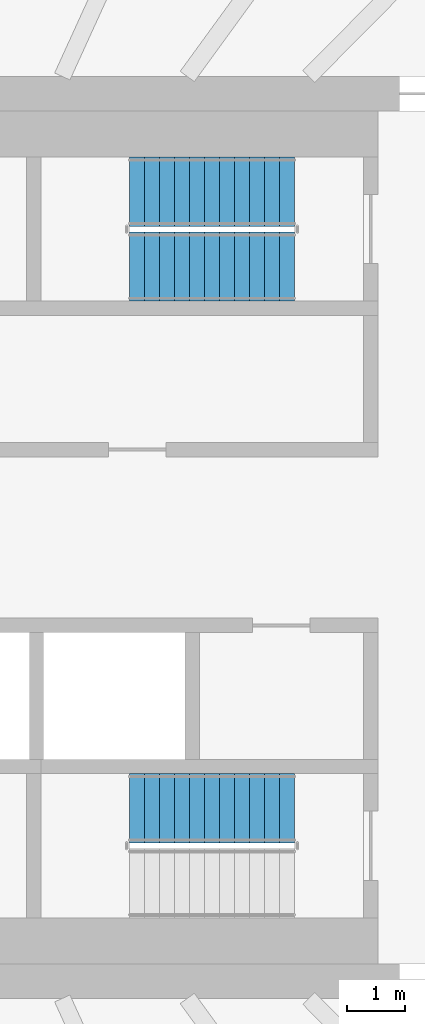
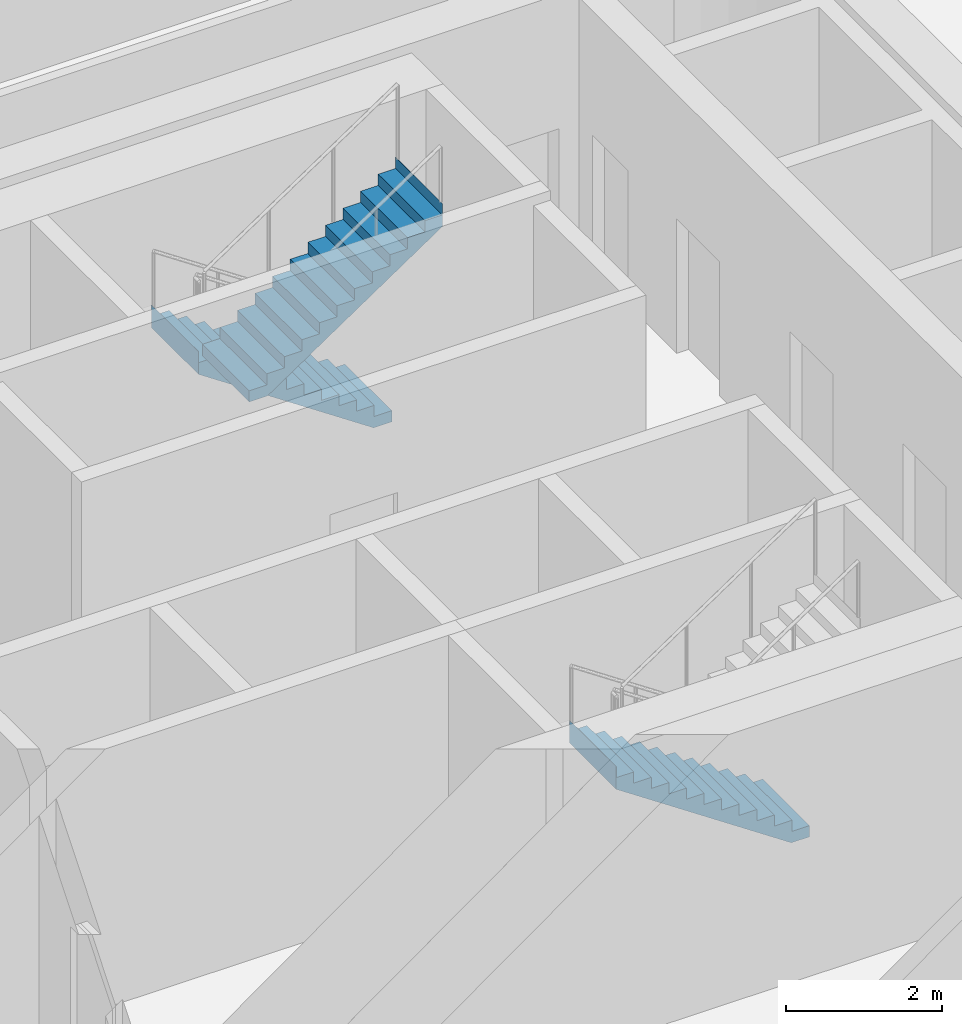
# One storey, part 19 of 25: 3 stair flights, 2 elements without a shape of their own.
"""IFC4 building model written with IfcOpenShell, lengths in metres."""

from ifc_helpers import new_model, si_unit, direction, frame, origin, place, context, subcontext, project, spatial, triangles, material, type_object, element, aggregate, save


model = new_model("IFC4")

# Units and contexts
model_context = context("Model", 3, precision=1e-05, world=origin(), true_north=direction((0.0, 1.0)))
body_context = subcontext(model_context, "Body", "Model", "MODEL_VIEW")
ifc_project = project(units=[si_unit("LENGTHUNIT", "METRE"), si_unit("AREAUNIT", "SQUARE_METRE"), si_unit("VOLUMEUNIT", "CUBIC_METRE"), si_unit("PLANEANGLEUNIT", "RADIAN"), si_unit("MASSUNIT", "GRAM", prefix="KILO")], contexts=[model_context])

# Site, building, storey
site_placement = place(None, origin())
site = spatial("IfcSite", under=ifc_project, at=site_placement, CompositionType="ELEMENT")
building_placement = place(site_placement, origin())
building = spatial("IfcBuilding", under=site, at=building_placement, Name="Sahrelin Media Tower", CompositionType="ELEMENT")
storey_placement = place(building_placement, frame((0.0, 0.0, 139.800048828125)))
storey = spatial("IfcBuildingStorey", under=building, at=storey_placement, Name="L28", CompositionType="ELEMENT", Elevation=139.800048828125)

# Stair, stair flights
ifc_material = material(Name="Concrete C40/50", Category="concrete")
stair_type = type_object("IfcStairType", Name="Exit stair 1200", PredefinedType="HALF_TURN_STAIR", material=ifc_material)
placement = place(storey_placement, origin())
stair_1 = element("IfcStair", 1, at=placement, inside=storey, type_object=stair_type, Name="L28 Exit stair ST3", PredefinedType="HALF_TURN_STAIR")
stair_flight_type = type_object("IfcStairFlightType", Name="Stair flight 1200", PredefinedType="STRAIGHT", material=ifc_material)
stair_flight_1_placement = place(storey_placement, frame((7.675048828125, 6.0, 0.0), z_axis=(0.0, 0.0, 1.0), x_axis=(-1.0, 0.0, 0.0)))
stair_flight_1 = element("IfcStairFlight", 2, at=stair_flight_1_placement, type_object=stair_flight_type, Name="ST3 flight 1", NumberOfRisers=12, NumberOfTreads=11, PredefinedType="STRAIGHT", RiserHeight=0.175, TreadLength=0.26, context=body_context, shape_type="Tessellation", body=[
    triangles([(0.2685546875, 0.60009765625, 0.0), (0.2685546875, 0.300048828125, 0.0), (0.2685546875, 0.0, 0.0), (0.2685546875, -0.300048828125, 0.0), (0.2685546875, -0.60009765625, 0.0), (2.860107421875, 0.60009765625, 1.744384765625), (2.860107421875, 0.300048828125, 1.744384765625), (2.860107421875, 0.0, 1.744384765625), (2.860107421875, -0.300048828125, 1.744384765625), (2.860107421875, -0.60009765625, 1.744384765625), (2.860107421875, 0.60009765625, 2.10009765625), (2.860107421875, 0.300048828125, 2.10009765625), (2.860107421875, 0.0, 2.10009765625), (2.860107421875, -0.300048828125, 2.10009765625), (2.860107421875, -0.60009765625, 2.10009765625), (2.85791015625, 0.60009765625, 2.10009765625), (2.85791015625, 0.300048828125, 2.10009765625), (2.85791015625, 0.0, 2.10009765625), (2.85791015625, -0.300048828125, 2.10009765625), (2.85791015625, -0.60009765625, 2.10009765625), (2.85791015625, 0.60009765625, 1.925048828125), (2.85791015625, 0.300048828125, 1.925048828125), (2.85791015625, 0.0, 1.925048828125), (2.85791015625, -0.300048828125, 1.925048828125), (2.85791015625, -0.60009765625, 1.925048828125), (2.60009765625, 0.60009765625, 1.925048828125), (2.60009765625, 0.300048828125, 1.925048828125), (2.60009765625, 0.0, 1.925048828125), (2.60009765625, -0.300048828125, 1.925048828125), (2.60009765625, -0.60009765625, 1.925048828125), (2.60009765625, 0.60009765625, 1.75), (2.60009765625, 0.300048828125, 1.75), (2.60009765625, 0.0, 1.75), (2.60009765625, -0.300048828125, 1.75), (2.60009765625, -0.60009765625, 1.75), (2.340087890625, 0.60009765625, 1.75), (2.340087890625, 0.300048828125, 1.75), (2.340087890625, 0.0, 1.75), (2.340087890625, -0.300048828125, 1.75), (2.340087890625, -0.60009765625, 1.75), (2.340087890625, 0.60009765625, 1.574951171875), (2.340087890625, 0.300048828125, 1.574951171875), (2.340087890625, 0.0, 1.574951171875), (2.340087890625, -0.300048828125, 1.574951171875), (2.340087890625, -0.60009765625, 1.574951171875), (2.080078125, 0.60009765625, 1.574951171875), (2.080078125, 0.300048828125, 1.574951171875), (2.080078125, 0.0, 1.574951171875), (2.080078125, -0.300048828125, 1.574951171875), (2.080078125, -0.60009765625, 1.574951171875), (2.080078125, 0.60009765625, 1.39990234375), (2.080078125, 0.300048828125, 1.39990234375), (2.080078125, 0.0, 1.39990234375), (2.080078125, -0.300048828125, 1.39990234375), (2.080078125, -0.60009765625, 1.39990234375), (1.820068359375, 0.60009765625, 1.39990234375), (1.820068359375, 0.300048828125, 1.39990234375), (1.820068359375, 0.0, 1.39990234375), (1.820068359375, -0.300048828125, 1.39990234375), (1.820068359375, -0.60009765625, 1.39990234375), (1.820068359375, 0.60009765625, 1.22509765625), (1.820068359375, 0.300048828125, 1.22509765625), (1.820068359375, 0.0, 1.22509765625), (1.820068359375, -0.300048828125, 1.22509765625), (1.820068359375, -0.60009765625, 1.22509765625), (1.56005859375, 0.60009765625, 1.22509765625), (1.56005859375, 0.300048828125, 1.22509765625), (1.56005859375, 0.0, 1.22509765625), (1.56005859375, -0.300048828125, 1.22509765625), (1.56005859375, -0.60009765625, 1.22509765625), (1.56005859375, 0.60009765625, 1.050048828125), (1.56005859375, 0.300048828125, 1.050048828125), (1.56005859375, 0.0, 1.050048828125), (1.56005859375, -0.300048828125, 1.050048828125), (1.56005859375, -0.60009765625, 1.050048828125), (1.300048828125, 0.60009765625, 1.050048828125), (1.300048828125, 0.300048828125, 1.050048828125), (1.300048828125, 0.0, 1.050048828125), (1.300048828125, -0.300048828125, 1.050048828125), (1.300048828125, -0.60009765625, 1.050048828125), (1.300048828125, 0.60009765625, 0.875), (1.300048828125, 0.300048828125, 0.875), (1.300048828125, 0.0, 0.875), (1.300048828125, -0.300048828125, 0.875), (1.300048828125, -0.60009765625, 0.875), (1.0400390625, 0.60009765625, 0.875), (1.0400390625, 0.300048828125, 0.875), (1.0400390625, 0.0, 0.875), (1.0400390625, -0.300048828125, 0.875), (1.0400390625, -0.60009765625, 0.875), (1.0400390625, 0.60009765625, 0.699951171875), (1.0400390625, 0.300048828125, 0.699951171875), (1.0400390625, 0.0, 0.699951171875), (1.0400390625, -0.300048828125, 0.699951171875), (1.0400390625, -0.60009765625, 0.699951171875), (0.780029296875, 0.60009765625, 0.699951171875), (0.780029296875, 0.300048828125, 0.699951171875), (0.780029296875, 0.0, 0.699951171875), (0.780029296875, -0.300048828125, 0.699951171875), (0.780029296875, -0.60009765625, 0.699951171875), (0.780029296875, 0.60009765625, 0.52490234375), (0.780029296875, 0.300048828125, 0.52490234375), (0.780029296875, 0.0, 0.52490234375), (0.780029296875, -0.300048828125, 0.52490234375), (0.780029296875, -0.60009765625, 0.52490234375), (0.52001953125, 0.60009765625, 0.52490234375), (0.52001953125, 0.300048828125, 0.52490234375), (0.52001953125, 0.0, 0.52490234375), (0.52001953125, -0.300048828125, 0.52490234375), (0.52001953125, -0.60009765625, 0.52490234375), (0.52001953125, 0.60009765625, 0.35009765625), (0.52001953125, 0.300048828125, 0.35009765625), (0.52001953125, 0.0, 0.35009765625), (0.52001953125, -0.300048828125, 0.35009765625), (0.52001953125, -0.60009765625, 0.35009765625), (0.260009765625, 0.60009765625, 0.35009765625), (0.260009765625, 0.300048828125, 0.35009765625), (0.260009765625, 0.0, 0.35009765625), (0.260009765625, -0.300048828125, 0.35009765625), (0.260009765625, -0.60009765625, 0.35009765625), (0.260009765625, 0.60009765625, 0.175048828125), (0.260009765625, 0.300048828125, 0.175048828125), (0.260009765625, 0.0, 0.175048828125), (0.260009765625, -0.300048828125, 0.175048828125), (0.260009765625, -0.60009765625, 0.175048828125), (0.0, 0.60009765625, 0.175048828125), (0.0, 0.300048828125, 0.175048828125), (0.0, 0.0, 0.175048828125), (0.0, -0.300048828125, 0.175048828125), (0.0, -0.60009765625, 0.175048828125), (0.0, 0.60009765625, 0.0), (0.0, 0.300048828125, 0.0), (0.0, 0.0, 0.0), (0.0, -0.300048828125, 0.0), (0.0, -0.60009765625, 0.0)], [[1, 6, 7], [1, 7, 2], [2, 7, 8], [2, 8, 3], [3, 8, 9], [3, 9, 4], [4, 9, 10], [4, 10, 5], [6, 11, 12], [6, 12, 7], [7, 12, 13], [7, 13, 8], [8, 13, 14], [8, 14, 9], [9, 14, 15], [9, 15, 10], [11, 16, 17], [11, 17, 12], [12, 17, 18], [12, 18, 13], [13, 18, 19], [13, 19, 14], [14, 19, 20], [14, 20, 15], [16, 21, 22], [16, 22, 17], [17, 22, 23], [17, 23, 18], [18, 23, 24], [18, 24, 19], [19, 24, 25], [19, 25, 20], [21, 26, 27], [21, 27, 22], [22, 27, 28], [22, 28, 23], [23, 28, 29], [23, 29, 24], [24, 29, 30], [24, 30, 25], [26, 31, 32], [26, 32, 27], [27, 32, 33], [27, 33, 28], [28, 33, 34], [28, 34, 29], [29, 34, 35], [29, 35, 30], [31, 36, 37], [31, 37, 32], [32, 37, 38], [32, 38, 33], [33, 38, 39], [33, 39, 34], [34, 39, 40], [34, 40, 35], [36, 41, 42], [36, 42, 37], [37, 42, 43], [37, 43, 38], [38, 43, 44], [38, 44, 39], [39, 44, 45], [39, 45, 40], [41, 46, 47], [41, 47, 42], [42, 47, 48], [42, 48, 43], [43, 48, 49], [43, 49, 44], [44, 49, 50], [44, 50, 45], [46, 51, 52], [46, 52, 47], [47, 52, 53], [47, 53, 48], [48, 53, 54], [48, 54, 49], [49, 54, 55], [49, 55, 50], [51, 56, 57], [51, 57, 52], [52, 57, 58], [52, 58, 53], [53, 58, 59], [53, 59, 54], [54, 59, 60], [54, 60, 55], [56, 61, 62], [56, 62, 57], [57, 62, 63], [57, 63, 58], [58, 63, 64], [58, 64, 59], [59, 64, 65], [59, 65, 60], [61, 66, 67], [61, 67, 62], [62, 67, 68], [62, 68, 63], [63, 68, 69], [63, 69, 64], [64, 69, 70], [64, 70, 65], [66, 71, 72], [66, 72, 67], [67, 72, 73], [67, 73, 68], [68, 73, 74], [68, 74, 69], [69, 74, 75], [69, 75, 70], [71, 76, 77], [71, 77, 72], [72, 77, 78], [72, 78, 73], [73, 78, 79], [73, 79, 74], [74, 79, 80], [74, 80, 75], [76, 81, 82], [76, 82, 77], [77, 82, 83], [77, 83, 78], [78, 83, 84], [78, 84, 79], [79, 84, 85], [79, 85, 80], [81, 86, 87], [81, 87, 82], [82, 87, 88], [82, 88, 83], [83, 88, 89], [83, 89, 84], [84, 89, 90], [84, 90, 85], [86, 91, 92], [86, 92, 87], [87, 92, 93], [87, 93, 88], [88, 93, 94], [88, 94, 89], [89, 94, 95], [89, 95, 90], [91, 96, 97], [91, 97, 92], [92, 97, 98], [92, 98, 93], [93, 98, 99], [93, 99, 94], [94, 99, 100], [94, 100, 95], [96, 101, 102], [96, 102, 97], [97, 102, 103], [97, 103, 98], [98, 103, 104], [98, 104, 99], [99, 104, 105], [99, 105, 100], [101, 106, 107], [101, 107, 102], [102, 107, 108], [102, 108, 103], [103, 108, 109], [103, 109, 104], [104, 109, 110], [104, 110, 105], [106, 111, 112], [106, 112, 107], [107, 112, 113], [107, 113, 108], [108, 113, 114], [108, 114, 109], [109, 114, 115], [109, 115, 110], [111, 116, 117], [111, 117, 112], [112, 117, 118], [112, 118, 113], [113, 118, 119], [113, 119, 114], [114, 119, 120], [114, 120, 115], [116, 121, 122], [116, 122, 117], [117, 122, 123], [117, 123, 118], [118, 123, 124], [118, 124, 119], [119, 124, 125], [119, 125, 120], [121, 126, 127], [121, 127, 122], [122, 127, 128], [122, 128, 123], [123, 128, 129], [123, 129, 124], [124, 129, 130], [124, 130, 125], [126, 131, 132], [126, 132, 127], [127, 132, 133], [127, 133, 128], [128, 133, 134], [128, 134, 129], [129, 134, 135], [129, 135, 130], [131, 1, 2], [131, 2, 132], [132, 2, 3], [132, 3, 133], [133, 3, 4], [133, 4, 134], [134, 4, 5], [134, 5, 135], [125, 130, 135], [121, 131, 126], [125, 115, 120], [121, 116, 111], [115, 105, 110], [111, 106, 101], [105, 95, 100], [101, 96, 91], [95, 85, 90], [91, 86, 81], [85, 75, 80], [81, 76, 71], [75, 65, 70], [71, 66, 61], [65, 55, 60], [61, 56, 51], [55, 45, 50], [51, 46, 41], [45, 35, 40], [41, 36, 31], [35, 25, 30], [31, 26, 21], [25, 15, 20], [21, 16, 11], [135, 5, 125], [131, 121, 1], [95, 105, 5], [91, 1, 101], [5, 10, 75], [1, 71, 6], [10, 35, 45], [6, 41, 31], [25, 10, 15], [21, 11, 6], [115, 125, 5], [111, 1, 121], [75, 85, 5], [71, 1, 81], [35, 10, 25], [31, 21, 6], [105, 115, 5], [101, 1, 111], [45, 55, 10], [41, 6, 51], [85, 95, 5], [81, 1, 91], [65, 10, 55], [61, 51, 6], [10, 65, 75], [6, 71, 61]], closed=True),
])
stair_flight_2_placement = place(storey_placement, frame((4.81494140625, 4.699951171875, 2.099853515625), z_axis=(0.0, 0.0, 1.0), x_axis=(1.0, 0.0, 0.0)))
stair_flight_2 = element("IfcStairFlight", 3, at=stair_flight_2_placement, type_object=stair_flight_type, Name="ST3 flight 2", NumberOfRisers=12, NumberOfTreads=11, PredefinedType="STRAIGHT", RiserHeight=0.175, TreadLength=0.26, context=body_context, shape_type="Tessellation", body=[
    triangles([(0.2685546875, 0.60009765625, 0.0), (0.2685546875, 0.300048828125, 0.0), (0.2685546875, 0.0, 0.0), (0.2685546875, -0.300048828125, 0.0), (0.2685546875, -0.60009765625, 0.0), (2.860107421875, 0.60009765625, 1.744384765625), (2.860107421875, 0.300048828125, 1.744384765625), (2.860107421875, 0.0, 1.744384765625), (2.860107421875, -0.300048828125, 1.744384765625), (2.860107421875, -0.60009765625, 1.744384765625), (2.860107421875, 0.60009765625, 2.10009765625), (2.860107421875, 0.300048828125, 2.10009765625), (2.860107421875, 0.0, 2.10009765625), (2.860107421875, -0.300048828125, 2.10009765625), (2.860107421875, -0.60009765625, 2.10009765625), (2.85791015625, 0.60009765625, 2.10009765625), (2.85791015625, 0.300048828125, 2.10009765625), (2.85791015625, 0.0, 2.10009765625), (2.85791015625, -0.300048828125, 2.10009765625), (2.85791015625, -0.60009765625, 2.10009765625), (2.85791015625, 0.60009765625, 1.925048828125), (2.85791015625, 0.300048828125, 1.925048828125), (2.85791015625, 0.0, 1.925048828125), (2.85791015625, -0.300048828125, 1.925048828125), (2.85791015625, -0.60009765625, 1.925048828125), (2.60009765625, 0.60009765625, 1.925048828125), (2.60009765625, 0.300048828125, 1.925048828125), (2.60009765625, 0.0, 1.925048828125), (2.60009765625, -0.300048828125, 1.925048828125), (2.60009765625, -0.60009765625, 1.925048828125), (2.60009765625, 0.60009765625, 1.75), (2.60009765625, 0.300048828125, 1.75), (2.60009765625, 0.0, 1.75), (2.60009765625, -0.300048828125, 1.75), (2.60009765625, -0.60009765625, 1.75), (2.340087890625, 0.60009765625, 1.75), (2.340087890625, 0.300048828125, 1.75), (2.340087890625, 0.0, 1.75), (2.340087890625, -0.300048828125, 1.75), (2.340087890625, -0.60009765625, 1.75), (2.340087890625, 0.60009765625, 1.574951171875), (2.340087890625, 0.300048828125, 1.574951171875), (2.340087890625, 0.0, 1.574951171875), (2.340087890625, -0.300048828125, 1.574951171875), (2.340087890625, -0.60009765625, 1.574951171875), (2.080078125, 0.60009765625, 1.574951171875), (2.080078125, 0.300048828125, 1.574951171875), (2.080078125, 0.0, 1.574951171875), (2.080078125, -0.300048828125, 1.574951171875), (2.080078125, -0.60009765625, 1.574951171875), (2.080078125, 0.60009765625, 1.39990234375), (2.080078125, 0.300048828125, 1.39990234375), (2.080078125, 0.0, 1.39990234375), (2.080078125, -0.300048828125, 1.39990234375), (2.080078125, -0.60009765625, 1.39990234375), (1.820068359375, 0.60009765625, 1.39990234375), (1.820068359375, 0.300048828125, 1.39990234375), (1.820068359375, 0.0, 1.39990234375), (1.820068359375, -0.300048828125, 1.39990234375), (1.820068359375, -0.60009765625, 1.39990234375), (1.820068359375, 0.60009765625, 1.22509765625), (1.820068359375, 0.300048828125, 1.22509765625), (1.820068359375, 0.0, 1.22509765625), (1.820068359375, -0.300048828125, 1.22509765625), (1.820068359375, -0.60009765625, 1.22509765625), (1.56005859375, 0.60009765625, 1.22509765625), (1.56005859375, 0.300048828125, 1.22509765625), (1.56005859375, 0.0, 1.22509765625), (1.56005859375, -0.300048828125, 1.22509765625), (1.56005859375, -0.60009765625, 1.22509765625), (1.56005859375, 0.60009765625, 1.050048828125), (1.56005859375, 0.300048828125, 1.050048828125), (1.56005859375, 0.0, 1.050048828125), (1.56005859375, -0.300048828125, 1.050048828125), (1.56005859375, -0.60009765625, 1.050048828125), (1.300048828125, 0.60009765625, 1.050048828125), (1.300048828125, 0.300048828125, 1.050048828125), (1.300048828125, 0.0, 1.050048828125), (1.300048828125, -0.300048828125, 1.050048828125), (1.300048828125, -0.60009765625, 1.050048828125), (1.300048828125, 0.60009765625, 0.875), (1.300048828125, 0.300048828125, 0.875), (1.300048828125, 0.0, 0.875), (1.300048828125, -0.300048828125, 0.875), (1.300048828125, -0.60009765625, 0.875), (1.0400390625, 0.60009765625, 0.875), (1.0400390625, 0.300048828125, 0.875), (1.0400390625, 0.0, 0.875), (1.0400390625, -0.300048828125, 0.875), (1.0400390625, -0.60009765625, 0.875), (1.0400390625, 0.60009765625, 0.699951171875), (1.0400390625, 0.300048828125, 0.699951171875), (1.0400390625, 0.0, 0.699951171875), (1.0400390625, -0.300048828125, 0.699951171875), (1.0400390625, -0.60009765625, 0.699951171875), (0.780029296875, 0.60009765625, 0.699951171875), (0.780029296875, 0.300048828125, 0.699951171875), (0.780029296875, 0.0, 0.699951171875), (0.780029296875, -0.300048828125, 0.699951171875), (0.780029296875, -0.60009765625, 0.699951171875), (0.780029296875, 0.60009765625, 0.52490234375), (0.780029296875, 0.300048828125, 0.52490234375), (0.780029296875, 0.0, 0.52490234375), (0.780029296875, -0.300048828125, 0.52490234375), (0.780029296875, -0.60009765625, 0.52490234375), (0.52001953125, 0.60009765625, 0.52490234375), (0.52001953125, 0.300048828125, 0.52490234375), (0.52001953125, 0.0, 0.52490234375), (0.52001953125, -0.300048828125, 0.52490234375), (0.52001953125, -0.60009765625, 0.52490234375), (0.52001953125, 0.60009765625, 0.35009765625), (0.52001953125, 0.300048828125, 0.35009765625), (0.52001953125, 0.0, 0.35009765625), (0.52001953125, -0.300048828125, 0.35009765625), (0.52001953125, -0.60009765625, 0.35009765625), (0.260009765625, 0.60009765625, 0.35009765625), (0.260009765625, 0.300048828125, 0.35009765625), (0.260009765625, 0.0, 0.35009765625), (0.260009765625, -0.300048828125, 0.35009765625), (0.260009765625, -0.60009765625, 0.35009765625), (0.260009765625, 0.60009765625, 0.175048828125), (0.260009765625, 0.300048828125, 0.175048828125), (0.260009765625, 0.0, 0.175048828125), (0.260009765625, -0.300048828125, 0.175048828125), (0.260009765625, -0.60009765625, 0.175048828125), (0.0, 0.60009765625, 0.175048828125), (0.0, 0.300048828125, 0.175048828125), (0.0, 0.0, 0.175048828125), (0.0, -0.300048828125, 0.175048828125), (0.0, -0.60009765625, 0.175048828125), (0.0, 0.60009765625, 0.0), (0.0, 0.300048828125, 0.0), (0.0, 0.0, 0.0), (0.0, -0.300048828125, 0.0), (0.0, -0.60009765625, 0.0)], [[1, 6, 7], [1, 7, 2], [2, 7, 8], [2, 8, 3], [3, 8, 9], [3, 9, 4], [4, 9, 10], [4, 10, 5], [6, 11, 12], [6, 12, 7], [7, 12, 13], [7, 13, 8], [8, 13, 14], [8, 14, 9], [9, 14, 15], [9, 15, 10], [11, 16, 17], [11, 17, 12], [12, 17, 18], [12, 18, 13], [13, 18, 19], [13, 19, 14], [14, 19, 20], [14, 20, 15], [16, 21, 22], [16, 22, 17], [17, 22, 23], [17, 23, 18], [18, 23, 24], [18, 24, 19], [19, 24, 25], [19, 25, 20], [21, 26, 27], [21, 27, 22], [22, 27, 28], [22, 28, 23], [23, 28, 29], [23, 29, 24], [24, 29, 30], [24, 30, 25], [26, 31, 32], [26, 32, 27], [27, 32, 33], [27, 33, 28], [28, 33, 34], [28, 34, 29], [29, 34, 35], [29, 35, 30], [31, 36, 37], [31, 37, 32], [32, 37, 38], [32, 38, 33], [33, 38, 39], [33, 39, 34], [34, 39, 40], [34, 40, 35], [36, 41, 42], [36, 42, 37], [37, 42, 43], [37, 43, 38], [38, 43, 44], [38, 44, 39], [39, 44, 45], [39, 45, 40], [41, 46, 47], [41, 47, 42], [42, 47, 48], [42, 48, 43], [43, 48, 49], [43, 49, 44], [44, 49, 50], [44, 50, 45], [46, 51, 52], [46, 52, 47], [47, 52, 53], [47, 53, 48], [48, 53, 54], [48, 54, 49], [49, 54, 55], [49, 55, 50], [51, 56, 57], [51, 57, 52], [52, 57, 58], [52, 58, 53], [53, 58, 59], [53, 59, 54], [54, 59, 60], [54, 60, 55], [56, 61, 62], [56, 62, 57], [57, 62, 63], [57, 63, 58], [58, 63, 64], [58, 64, 59], [59, 64, 65], [59, 65, 60], [61, 66, 67], [61, 67, 62], [62, 67, 68], [62, 68, 63], [63, 68, 69], [63, 69, 64], [64, 69, 70], [64, 70, 65], [66, 71, 72], [66, 72, 67], [67, 72, 73], [67, 73, 68], [68, 73, 74], [68, 74, 69], [69, 74, 75], [69, 75, 70], [71, 76, 77], [71, 77, 72], [72, 77, 78], [72, 78, 73], [73, 78, 79], [73, 79, 74], [74, 79, 80], [74, 80, 75], [76, 81, 82], [76, 82, 77], [77, 82, 83], [77, 83, 78], [78, 83, 84], [78, 84, 79], [79, 84, 85], [79, 85, 80], [81, 86, 87], [81, 87, 82], [82, 87, 88], [82, 88, 83], [83, 88, 89], [83, 89, 84], [84, 89, 90], [84, 90, 85], [86, 91, 92], [86, 92, 87], [87, 92, 93], [87, 93, 88], [88, 93, 94], [88, 94, 89], [89, 94, 95], [89, 95, 90], [91, 96, 97], [91, 97, 92], [92, 97, 98], [92, 98, 93], [93, 98, 99], [93, 99, 94], [94, 99, 100], [94, 100, 95], [96, 101, 102], [96, 102, 97], [97, 102, 103], [97, 103, 98], [98, 103, 104], [98, 104, 99], [99, 104, 105], [99, 105, 100], [101, 106, 107], [101, 107, 102], [102, 107, 108], [102, 108, 103], [103, 108, 109], [103, 109, 104], [104, 109, 110], [104, 110, 105], [106, 111, 112], [106, 112, 107], [107, 112, 113], [107, 113, 108], [108, 113, 114], [108, 114, 109], [109, 114, 115], [109, 115, 110], [111, 116, 117], [111, 117, 112], [112, 117, 118], [112, 118, 113], [113, 118, 119], [113, 119, 114], [114, 119, 120], [114, 120, 115], [116, 121, 122], [116, 122, 117], [117, 122, 123], [117, 123, 118], [118, 123, 124], [118, 124, 119], [119, 124, 125], [119, 125, 120], [121, 126, 127], [121, 127, 122], [122, 127, 128], [122, 128, 123], [123, 128, 129], [123, 129, 124], [124, 129, 130], [124, 130, 125], [126, 131, 132], [126, 132, 127], [127, 132, 133], [127, 133, 128], [128, 133, 134], [128, 134, 129], [129, 134, 135], [129, 135, 130], [131, 1, 2], [131, 2, 132], [132, 2, 3], [132, 3, 133], [133, 3, 4], [133, 4, 134], [134, 4, 5], [134, 5, 135], [125, 130, 135], [121, 131, 126], [125, 115, 120], [121, 116, 111], [115, 105, 110], [111, 106, 101], [105, 95, 100], [101, 96, 91], [95, 85, 90], [91, 86, 81], [85, 75, 80], [81, 76, 71], [75, 65, 70], [71, 66, 61], [65, 55, 60], [61, 56, 51], [55, 45, 50], [51, 46, 41], [45, 35, 40], [41, 36, 31], [35, 25, 30], [31, 26, 21], [25, 15, 20], [21, 16, 11], [135, 5, 125], [131, 121, 1], [95, 105, 5], [91, 1, 101], [5, 10, 75], [1, 71, 6], [10, 35, 45], [6, 41, 31], [25, 10, 15], [21, 11, 6], [115, 125, 5], [111, 1, 121], [75, 85, 5], [71, 1, 81], [35, 10, 25], [31, 21, 6], [105, 115, 5], [101, 1, 111], [45, 55, 10], [41, 6, 51], [85, 95, 5], [81, 1, 91], [65, 10, 55], [61, 51, 6], [10, 65, 75], [6, 71, 61]], closed=True),
])
aggregate(stair_1, [stair_flight_1, stair_flight_2])

# Stair, stair flight
stair_2 = element("IfcStair", 4, at=placement, inside=storey, type_object=stair_type, Name="L28 Exit stair ST2", PredefinedType="HALF_TURN_STAIR")
stair_flight_3_placement = place(storey_placement, frame((7.675048828125, -4.699951171875, 0.0), z_axis=(0.0, 0.0, 1.0), x_axis=(-1.0, 0.0, 0.0)))
stair_flight_3 = element("IfcStairFlight", 5, at=stair_flight_3_placement, type_object=stair_flight_type, Name="ST2 flight 1", NumberOfRisers=12, NumberOfTreads=11, PredefinedType="STRAIGHT", RiserHeight=0.175, TreadLength=0.26, context=body_context, shape_type="Tessellation", body=[
    triangles([(0.2685546875, 0.60009765625, 0.0), (0.2685546875, 0.300048828125, 0.0), (0.2685546875, 0.0, 0.0), (0.2685546875, -0.300048828125, 0.0), (0.2685546875, -0.60009765625, 0.0), (2.860107421875, 0.60009765625, 1.744384765625), (2.860107421875, 0.300048828125, 1.744384765625), (2.860107421875, 0.0, 1.744384765625), (2.860107421875, -0.300048828125, 1.744384765625), (2.860107421875, -0.60009765625, 1.744384765625), (2.860107421875, 0.60009765625, 2.10009765625), (2.860107421875, 0.300048828125, 2.10009765625), (2.860107421875, 0.0, 2.10009765625), (2.860107421875, -0.300048828125, 2.10009765625), (2.860107421875, -0.60009765625, 2.10009765625), (2.85791015625, 0.60009765625, 2.10009765625), (2.85791015625, 0.300048828125, 2.10009765625), (2.85791015625, 0.0, 2.10009765625), (2.85791015625, -0.300048828125, 2.10009765625), (2.85791015625, -0.60009765625, 2.10009765625), (2.85791015625, 0.60009765625, 1.925048828125), (2.85791015625, 0.300048828125, 1.925048828125), (2.85791015625, 0.0, 1.925048828125), (2.85791015625, -0.300048828125, 1.925048828125), (2.85791015625, -0.60009765625, 1.925048828125), (2.60009765625, 0.60009765625, 1.925048828125), (2.60009765625, 0.300048828125, 1.925048828125), (2.60009765625, 0.0, 1.925048828125), (2.60009765625, -0.300048828125, 1.925048828125), (2.60009765625, -0.60009765625, 1.925048828125), (2.60009765625, 0.60009765625, 1.75), (2.60009765625, 0.300048828125, 1.75), (2.60009765625, 0.0, 1.75), (2.60009765625, -0.300048828125, 1.75), (2.60009765625, -0.60009765625, 1.75), (2.340087890625, 0.60009765625, 1.75), (2.340087890625, 0.300048828125, 1.75), (2.340087890625, 0.0, 1.75), (2.340087890625, -0.300048828125, 1.75), (2.340087890625, -0.60009765625, 1.75), (2.340087890625, 0.60009765625, 1.574951171875), (2.340087890625, 0.300048828125, 1.574951171875), (2.340087890625, 0.0, 1.574951171875), (2.340087890625, -0.300048828125, 1.574951171875), (2.340087890625, -0.60009765625, 1.574951171875), (2.080078125, 0.60009765625, 1.574951171875), (2.080078125, 0.300048828125, 1.574951171875), (2.080078125, 0.0, 1.574951171875), (2.080078125, -0.300048828125, 1.574951171875), (2.080078125, -0.60009765625, 1.574951171875), (2.080078125, 0.60009765625, 1.39990234375), (2.080078125, 0.300048828125, 1.39990234375), (2.080078125, 0.0, 1.39990234375), (2.080078125, -0.300048828125, 1.39990234375), (2.080078125, -0.60009765625, 1.39990234375), (1.820068359375, 0.60009765625, 1.39990234375), (1.820068359375, 0.300048828125, 1.39990234375), (1.820068359375, 0.0, 1.39990234375), (1.820068359375, -0.300048828125, 1.39990234375), (1.820068359375, -0.60009765625, 1.39990234375), (1.820068359375, 0.60009765625, 1.22509765625), (1.820068359375, 0.300048828125, 1.22509765625), (1.820068359375, 0.0, 1.22509765625), (1.820068359375, -0.300048828125, 1.22509765625), (1.820068359375, -0.60009765625, 1.22509765625), (1.56005859375, 0.60009765625, 1.22509765625), (1.56005859375, 0.300048828125, 1.22509765625), (1.56005859375, 0.0, 1.22509765625), (1.56005859375, -0.300048828125, 1.22509765625), (1.56005859375, -0.60009765625, 1.22509765625), (1.56005859375, 0.60009765625, 1.050048828125), (1.56005859375, 0.300048828125, 1.050048828125), (1.56005859375, 0.0, 1.050048828125), (1.56005859375, -0.300048828125, 1.050048828125), (1.56005859375, -0.60009765625, 1.050048828125), (1.300048828125, 0.60009765625, 1.050048828125), (1.300048828125, 0.300048828125, 1.050048828125), (1.300048828125, 0.0, 1.050048828125), (1.300048828125, -0.300048828125, 1.050048828125), (1.300048828125, -0.60009765625, 1.050048828125), (1.300048828125, 0.60009765625, 0.875), (1.300048828125, 0.300048828125, 0.875), (1.300048828125, 0.0, 0.875), (1.300048828125, -0.300048828125, 0.875), (1.300048828125, -0.60009765625, 0.875), (1.0400390625, 0.60009765625, 0.875), (1.0400390625, 0.300048828125, 0.875), (1.0400390625, 0.0, 0.875), (1.0400390625, -0.300048828125, 0.875), (1.0400390625, -0.60009765625, 0.875), (1.0400390625, 0.60009765625, 0.699951171875), (1.0400390625, 0.300048828125, 0.699951171875), (1.0400390625, 0.0, 0.699951171875), (1.0400390625, -0.300048828125, 0.699951171875), (1.0400390625, -0.60009765625, 0.699951171875), (0.780029296875, 0.60009765625, 0.699951171875), (0.780029296875, 0.300048828125, 0.699951171875), (0.780029296875, 0.0, 0.699951171875), (0.780029296875, -0.300048828125, 0.699951171875), (0.780029296875, -0.60009765625, 0.699951171875), (0.780029296875, 0.60009765625, 0.52490234375), (0.780029296875, 0.300048828125, 0.52490234375), (0.780029296875, 0.0, 0.52490234375), (0.780029296875, -0.300048828125, 0.52490234375), (0.780029296875, -0.60009765625, 0.52490234375), (0.52001953125, 0.60009765625, 0.52490234375), (0.52001953125, 0.300048828125, 0.52490234375), (0.52001953125, 0.0, 0.52490234375), (0.52001953125, -0.300048828125, 0.52490234375), (0.52001953125, -0.60009765625, 0.52490234375), (0.52001953125, 0.60009765625, 0.35009765625), (0.52001953125, 0.300048828125, 0.35009765625), (0.52001953125, 0.0, 0.35009765625), (0.52001953125, -0.300048828125, 0.35009765625), (0.52001953125, -0.60009765625, 0.35009765625), (0.260009765625, 0.60009765625, 0.35009765625), (0.260009765625, 0.300048828125, 0.35009765625), (0.260009765625, 0.0, 0.35009765625), (0.260009765625, -0.300048828125, 0.35009765625), (0.260009765625, -0.60009765625, 0.35009765625), (0.260009765625, 0.60009765625, 0.175048828125), (0.260009765625, 0.300048828125, 0.175048828125), (0.260009765625, 0.0, 0.175048828125), (0.260009765625, -0.300048828125, 0.175048828125), (0.260009765625, -0.60009765625, 0.175048828125), (0.0, 0.60009765625, 0.175048828125), (0.0, 0.300048828125, 0.175048828125), (0.0, 0.0, 0.175048828125), (0.0, -0.300048828125, 0.175048828125), (0.0, -0.60009765625, 0.175048828125), (0.0, 0.60009765625, 0.0), (0.0, 0.300048828125, 0.0), (0.0, 0.0, 0.0), (0.0, -0.300048828125, 0.0), (0.0, -0.60009765625, 0.0)], [[1, 6, 7], [1, 7, 2], [2, 7, 8], [2, 8, 3], [3, 8, 9], [3, 9, 4], [4, 9, 10], [4, 10, 5], [6, 11, 12], [6, 12, 7], [7, 12, 13], [7, 13, 8], [8, 13, 14], [8, 14, 9], [9, 14, 15], [9, 15, 10], [11, 16, 17], [11, 17, 12], [12, 17, 18], [12, 18, 13], [13, 18, 19], [13, 19, 14], [14, 19, 20], [14, 20, 15], [16, 21, 22], [16, 22, 17], [17, 22, 23], [17, 23, 18], [18, 23, 24], [18, 24, 19], [19, 24, 25], [19, 25, 20], [21, 26, 27], [21, 27, 22], [22, 27, 28], [22, 28, 23], [23, 28, 29], [23, 29, 24], [24, 29, 30], [24, 30, 25], [26, 31, 32], [26, 32, 27], [27, 32, 33], [27, 33, 28], [28, 33, 34], [28, 34, 29], [29, 34, 35], [29, 35, 30], [31, 36, 37], [31, 37, 32], [32, 37, 38], [32, 38, 33], [33, 38, 39], [33, 39, 34], [34, 39, 40], [34, 40, 35], [36, 41, 42], [36, 42, 37], [37, 42, 43], [37, 43, 38], [38, 43, 44], [38, 44, 39], [39, 44, 45], [39, 45, 40], [41, 46, 47], [41, 47, 42], [42, 47, 48], [42, 48, 43], [43, 48, 49], [43, 49, 44], [44, 49, 50], [44, 50, 45], [46, 51, 52], [46, 52, 47], [47, 52, 53], [47, 53, 48], [48, 53, 54], [48, 54, 49], [49, 54, 55], [49, 55, 50], [51, 56, 57], [51, 57, 52], [52, 57, 58], [52, 58, 53], [53, 58, 59], [53, 59, 54], [54, 59, 60], [54, 60, 55], [56, 61, 62], [56, 62, 57], [57, 62, 63], [57, 63, 58], [58, 63, 64], [58, 64, 59], [59, 64, 65], [59, 65, 60], [61, 66, 67], [61, 67, 62], [62, 67, 68], [62, 68, 63], [63, 68, 69], [63, 69, 64], [64, 69, 70], [64, 70, 65], [66, 71, 72], [66, 72, 67], [67, 72, 73], [67, 73, 68], [68, 73, 74], [68, 74, 69], [69, 74, 75], [69, 75, 70], [71, 76, 77], [71, 77, 72], [72, 77, 78], [72, 78, 73], [73, 78, 79], [73, 79, 74], [74, 79, 80], [74, 80, 75], [76, 81, 82], [76, 82, 77], [77, 82, 83], [77, 83, 78], [78, 83, 84], [78, 84, 79], [79, 84, 85], [79, 85, 80], [81, 86, 87], [81, 87, 82], [82, 87, 88], [82, 88, 83], [83, 88, 89], [83, 89, 84], [84, 89, 90], [84, 90, 85], [86, 91, 92], [86, 92, 87], [87, 92, 93], [87, 93, 88], [88, 93, 94], [88, 94, 89], [89, 94, 95], [89, 95, 90], [91, 96, 97], [91, 97, 92], [92, 97, 98], [92, 98, 93], [93, 98, 99], [93, 99, 94], [94, 99, 100], [94, 100, 95], [96, 101, 102], [96, 102, 97], [97, 102, 103], [97, 103, 98], [98, 103, 104], [98, 104, 99], [99, 104, 105], [99, 105, 100], [101, 106, 107], [101, 107, 102], [102, 107, 108], [102, 108, 103], [103, 108, 109], [103, 109, 104], [104, 109, 110], [104, 110, 105], [106, 111, 112], [106, 112, 107], [107, 112, 113], [107, 113, 108], [108, 113, 114], [108, 114, 109], [109, 114, 115], [109, 115, 110], [111, 116, 117], [111, 117, 112], [112, 117, 118], [112, 118, 113], [113, 118, 119], [113, 119, 114], [114, 119, 120], [114, 120, 115], [116, 121, 122], [116, 122, 117], [117, 122, 123], [117, 123, 118], [118, 123, 124], [118, 124, 119], [119, 124, 125], [119, 125, 120], [121, 126, 127], [121, 127, 122], [122, 127, 128], [122, 128, 123], [123, 128, 129], [123, 129, 124], [124, 129, 130], [124, 130, 125], [126, 131, 132], [126, 132, 127], [127, 132, 133], [127, 133, 128], [128, 133, 134], [128, 134, 129], [129, 134, 135], [129, 135, 130], [131, 1, 2], [131, 2, 132], [132, 2, 3], [132, 3, 133], [133, 3, 4], [133, 4, 134], [134, 4, 5], [134, 5, 135], [125, 130, 135], [121, 131, 126], [125, 115, 120], [121, 116, 111], [115, 105, 110], [111, 106, 101], [105, 95, 100], [101, 96, 91], [95, 85, 90], [91, 86, 81], [85, 75, 80], [81, 76, 71], [75, 65, 70], [71, 66, 61], [65, 55, 60], [61, 56, 51], [55, 45, 50], [51, 46, 41], [45, 35, 40], [41, 36, 31], [35, 25, 30], [31, 26, 21], [25, 15, 20], [21, 16, 11], [135, 5, 125], [131, 121, 1], [95, 105, 5], [91, 1, 101], [5, 10, 75], [1, 71, 6], [10, 35, 45], [6, 41, 31], [25, 10, 15], [21, 11, 6], [115, 125, 5], [111, 1, 121], [75, 85, 5], [71, 1, 81], [35, 10, 25], [31, 21, 6], [105, 115, 5], [101, 1, 111], [45, 55, 10], [41, 6, 51], [85, 95, 5], [81, 1, 91], [65, 10, 55], [61, 51, 6], [10, 65, 75], [6, 71, 61]], closed=True),
])
aggregate(stair_2, [stair_flight_3])

save(model, "model.ifc")
